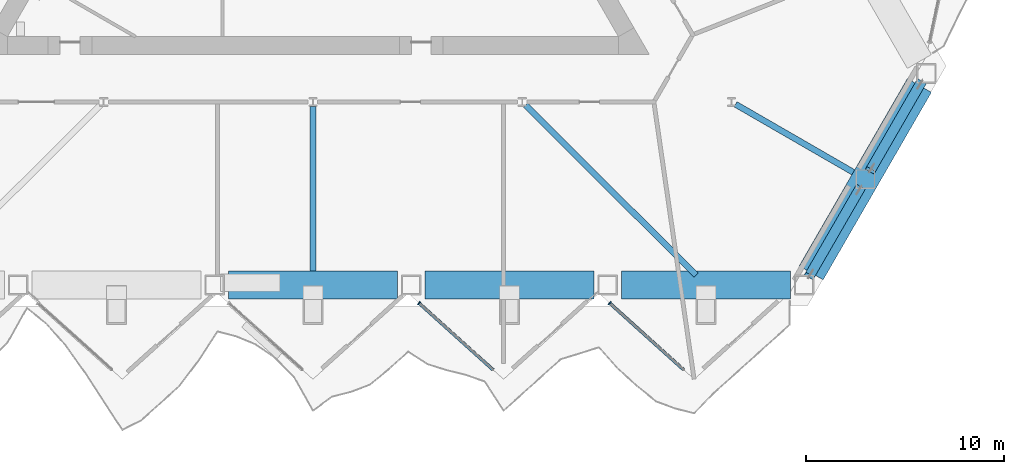
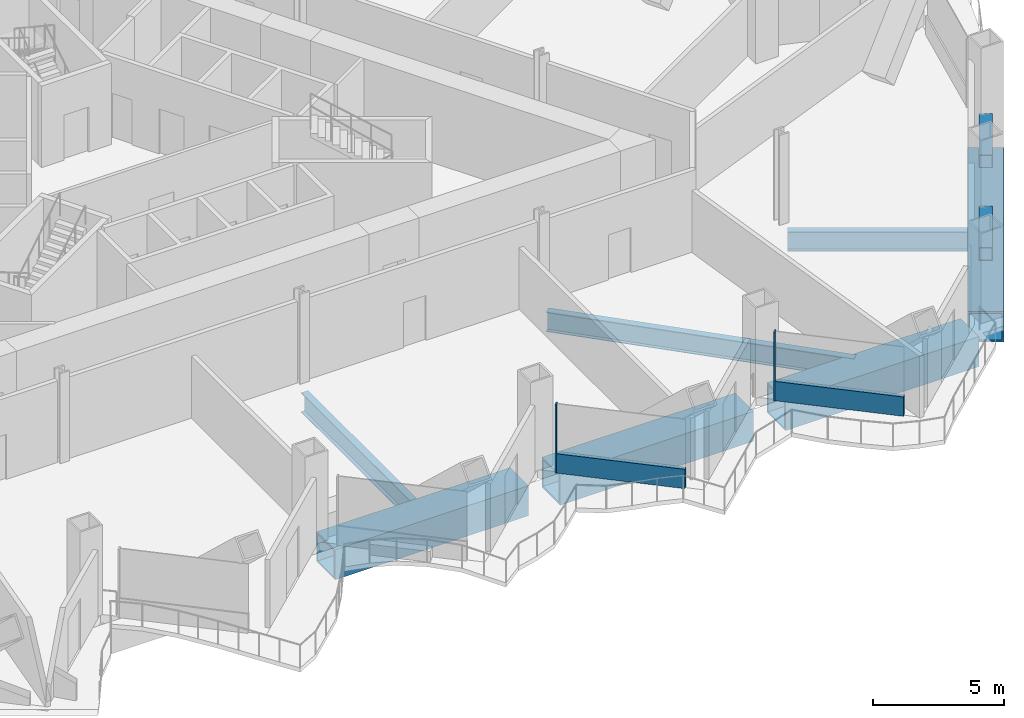
# One storey, part 4 of 22: 7 beams, 6 members, 2 elements without a shape of their own.
"""IFC4 building model written with IfcOpenShell, lengths in metres."""

from ifc_helpers import new_model, si_unit, direction, frame, origin, origin_2d, place, context, subcontext, project, spatial, rectangle, hollow_rectangle, i_section, extrude, material, layer, layer_set, material_profile, profile_set, type_object, element, aggregate, save


model = new_model("IFC4")

# Units and contexts
model_context = context("Model", 3, precision=1e-05, world=origin(), true_north=direction((0.0, 1.0)))
body_context = subcontext(model_context, "Body", "Model", "MODEL_VIEW")
ifc_project = project(units=[si_unit("LENGTHUNIT", "METRE"), si_unit("AREAUNIT", "SQUARE_METRE"), si_unit("VOLUMEUNIT", "CUBIC_METRE"), si_unit("PLANEANGLEUNIT", "RADIAN"), si_unit("MASSUNIT", "GRAM", prefix="KILO")], contexts=[model_context])

# Site, building, storey
site_placement = place(None, origin())
site = spatial("IfcSite", under=ifc_project, at=site_placement, CompositionType="ELEMENT")
building_placement = place(site_placement, origin())
building = spatial("IfcBuilding", under=site, at=building_placement, Name="Cormorant Prow Tower", CompositionType="ELEMENT")
storey_placement = place(building_placement, frame((0.0, 0.0, 30.0)))
storey = spatial("IfcBuildingStorey", under=building, at=storey_placement, Name="L05", CompositionType="ELEMENT", Elevation=30.0)

# Members
ifc_material_1 = material(Name="Structural steel ASTM A500 Gr C", Category="steel")
ifc_material_profile_1 = material_profile(ifc_material_1, hollow_rectangle(XDim=0.508056640625, YDim=0.508056640625, WallThickness=0.014892578125, at=origin_2d()), Name="HSS20x20x5/8")
ifc_profile_set_1 = profile_set([ifc_material_profile_1], Name="Structural steel ASTM A500 Gr C")
member_type_1 = type_object("IfcMemberType", Name="Chamfer brace HSS20x20x5/8", PredefinedType="BRACE", material=ifc_profile_set_1)
for number, where, z_axis, x_axis, name in (
    (1, (27.65576171875, -16.566162109375, 0.767333984375), (-0.475899695849, -0.824255918841, 0.306792535351), (0.866018434186, -0.500012071504, 0.0), "Chamfer brace BR1 at ESE00 L05"),
    (2, (30.74072265625, -11.222900390625, 0.767333984375), (-0.475881936113, -0.824270433724, 0.306781086395), (0.866030326616, -0.499991473309, 0.0), "Chamfer brace BR1 at ESE01 L05"),
):
    element("IfcMember", number, at=place(storey_placement, frame(where, z_axis=z_axis, x_axis=x_axis)), inside=storey, type_object=member_type_1, Name=name, PredefinedType="BRACE", context=body_context, shape_type="SweptSolid", body=[
        extrude(hollow_rectangle(XDim=0.508056640625, YDim=0.508056640625, WallThickness=0.014892578125, at=origin_2d()), origin(), (0.0, 0.0, 1.0), 5.392333984375),
    ])

# Curtain wall, member
ifc_material_2 = material(Name="Aluminium 6063-T6", Category="aluminium")
ifc_layer = layer(ifc_material_2, 0.199951171875)
ifc_layer_set = layer_set([ifc_layer], Name="Aluminium 6063-T6")
curtain_wall_type = type_object("IfcCurtainWallType", Name="Office unitised curtain wall 200", PredefinedType="NOTDEFINED", material=ifc_layer_set)
curtain_wall_1_placement = place(storey_placement, origin())
curtain_wall_1 = element("IfcCurtainWall", 3, at=curtain_wall_1_placement, inside=storey, type_object=curtain_wall_type, Name="Office curtain wall S06", PredefinedType="NOTDEFINED")
ifc_material_3 = material(Name="Aluminium 6063-T6", Category="aluminium")
ifc_material_profile_2 = material_profile(ifc_material_3, rectangle(XDim=0.199951171875, YDim=0.06005859375, at=origin_2d()), Name="Office mullion 60x200")
ifc_profile_set_2 = profile_set([ifc_material_profile_2], Name="Aluminium 6063-T6")
member_type_2 = type_object("IfcMemberType", Name="Office mullion 60x200", PredefinedType="MULLION", material=ifc_profile_set_2)
member_1_placement = place(storey_placement, frame((5.3623046875, -22.379150390625, 0.0), z_axis=(0.0, 0.0, 1.0), x_axis=(0.669130597396, 0.743144833547, 0.0)))
member_1 = element("IfcMember", 4, at=member_1_placement, type_object=member_type_2, Name="Office mullion S06", PredefinedType="MULLION", context=body_context, shape_type="SweptSolid", body=[
    extrude(rectangle(XDim=0.199951171875, YDim=0.06005859375, at=origin_2d()), origin(), (0.0, 0.0, 1.0), 3.18896484375),
])

curtain_wall_2_placement = place(storey_placement, origin())
curtain_wall_2 = element("IfcCurtainWall", 5, at=curtain_wall_2_placement, inside=storey, type_object=curtain_wall_type, Name="Office curtain wall S08", PredefinedType="NOTDEFINED")
member_2_placement = place(storey_placement, frame((14.997314453125, -22.379150390625, 0.0), z_axis=(0.0, 0.0, 1.0), x_axis=(0.669130597396, 0.743144833547, 0.0)))
member_2 = element("IfcMember", 6, at=member_2_placement, type_object=member_type_2, Name="Office mullion S08", PredefinedType="MULLION", context=body_context, shape_type="SweptSolid", body=[
    extrude(rectangle(XDim=0.199951171875, YDim=0.06005859375, at=origin_2d()), origin(), (0.0, 0.0, 1.0), 3.18896484375),
])

# Member
ifc_material_4 = material(Name="Terracotta", Category="masonry")
ifc_material_profile_3 = material_profile(ifc_material_4, rectangle(XDim=0.159912109375, YDim=0.89990234375, at=origin_2d()), Name="Office terracotta spandrel rail 160x900")
ifc_profile_set_3 = profile_set([ifc_material_profile_3], Name="Terracotta")
member_type_3 = type_object("IfcMemberType", Name="Office terracotta spandrel rail 160x900", PredefinedType="USERDEFINED", material=ifc_profile_set_3)
member_3_placement = place(storey_placement, frame((5.384521484375, -22.399169921875, 0.449951171875), z_axis=(0.743146523264, -0.66912872077, 0.0), x_axis=(0.66912872077, 0.743146523264, 0.0)))
member_3 = element("IfcMember", 7, at=member_3_placement, type_object=member_type_3, Name="Office spandrel rail S06", ObjectType="TRANSOM", PredefinedType="USERDEFINED", context=body_context, shape_type="SweptSolid", body=[
    extrude(rectangle(XDim=0.159912109375, YDim=0.89990234375, at=origin_2d()), origin(), (0.0, 0.0, 1.0), 5.016845703125),
])

aggregate(curtain_wall_1, [member_1, member_3])

member_4_placement = place(storey_placement, frame((15.019775390625, -22.399169921875, 0.449951171875), z_axis=(0.743124733633, -0.669152919938, 0.0), x_axis=(0.669152919938, 0.743124733633, 0.0)))
member_4 = element("IfcMember", 8, at=member_4_placement, type_object=member_type_3, Name="Office spandrel rail S08", ObjectType="TRANSOM", PredefinedType="USERDEFINED", context=body_context, shape_type="SweptSolid", body=[
    extrude(rectangle(XDim=0.159912109375, YDim=0.89990234375, at=origin_2d()), origin(), (0.0, 0.0, 1.0), 5.0166015625),
])

aggregate(curtain_wall_2, [member_2, member_4])

# Beams
ifc_material_5 = material(Name="Structural steel ASTM A992 Gr 50", Category="steel")
ifc_material_profile_4 = material_profile(ifc_material_5, i_section(OverallWidth=0.3046875, OverallDepth=0.914794921875, WebThickness=0.0166015625, FlangeThickness=0.02587890625, at=origin_2d()), Name="W36x160")
ifc_profile_set_4 = profile_set([ifc_material_profile_4], Name="Structural steel ASTM A992 Gr 50")
beam_type_1 = type_object("IfcBeamType", Name="Radial floor beam W36x160", PredefinedType="BEAM", material=ifc_profile_set_4)
beam_1_placement = place(storey_placement, frame((0.0, -12.447265625, -0.857421875), z_axis=(0.0, -1.0, 0.0), x_axis=(1.0, 0.0, 0.0)))
element("IfcBeam", 9, at=beam_1_placement, inside=storey, type_object=beam_type_1, Name="Radial floor beam FB1 7 L05", PredefinedType="BEAM", context=body_context, shape_type="SweptSolid", body=[
    extrude(i_section(OverallWidth=0.3046875, OverallDepth=0.914794921875, WebThickness=0.0166015625, FlangeThickness=0.02587890625, at=origin_2d()), origin(), (0.0, 0.0, 1.0), 8.312744140625),
])
beam_2_placement = place(storey_placement, frame((10.7431640625, -12.37890625, -0.857421875), z_axis=(0.708659678371, -0.705550466127, 0.0), x_axis=(0.705550466127, 0.708659678371, 0.0)))
element("IfcBeam", 10, at=beam_2_placement, inside=storey, type_object=beam_type_1, Name="Radial floor beam FB1 8 L05", PredefinedType="BEAM", context=body_context, shape_type="SweptSolid", body=[
    extrude(i_section(OverallWidth=0.3046875, OverallDepth=0.914794921875, WebThickness=0.0166015625, FlangeThickness=0.02587890625, at=origin_2d()), origin(), (0.0, 0.0, 1.0), 12.1708984375),
])
beam_3_placement = place(storey_placement, frame((21.358154296875, -12.3310546875, -0.857421875), z_axis=(0.866015179631, -0.500017708335, 0.0), x_axis=(0.500017708335, 0.866015179631, 0.0)))
element("IfcBeam", 11, at=beam_3_placement, inside=storey, type_object=beam_type_1, Name="Radial floor beam FB1 9 L05", PredefinedType="BEAM", context=body_context, shape_type="SweptSolid", body=[
    extrude(i_section(OverallWidth=0.3046875, OverallDepth=0.914794921875, WebThickness=0.0166015625, FlangeThickness=0.02587890625, at=origin_2d()), origin(), (0.0, 0.0, 1.0), 6.871337890625),
])
ifc_material_6 = material(Name="Structural steel ASTM A572 Gr 50", Category="steel")
ifc_material_profile_5 = material_profile(ifc_material_6, hollow_rectangle(XDim=1.39990234375, YDim=1.39990234375, WallThickness=0.080078125, at=origin_2d()), Name="Box 1400x1400x80")
ifc_profile_set_5 = profile_set([ifc_material_profile_5], Name="Structural steel ASTM A572 Gr 50")
beam_type_2 = type_object("IfcBeamType", Name="Transfer girder 1400x1400x80", PredefinedType="BEAM", material=ifc_profile_set_5)
for number, where, z_axis, x_axis, name in (
    (12, (-4.26611328125, -21.4599609375, -1.10009765625), (1.0, 0.0, 0.0), (0.0, 1.0, 0.0), "Transfer girder TG1 S04-S06 L05"),
    (13, (5.666015625, -21.4599609375, -1.10009765625), (1.0, 0.0, 0.0), (0.0, 1.0, 0.0), "Transfer girder TG1 S06-S08 L05"),
    (14, (15.59814453125, -21.4599609375, -1.10009765625), (1.0, 0.0, 0.0), (0.0, 1.0, 0.0), "Transfer girder TG1 S08-ESE00 L05"),
):
    element("IfcBeam", number, at=place(storey_placement, frame(where, z_axis=z_axis, x_axis=x_axis)), inside=storey, type_object=beam_type_2, Name=name, PredefinedType="BEAM", context=body_context, shape_type="SweptSolid", body=[
        extrude(hollow_rectangle(XDim=1.39990234375, YDim=1.39990234375, WallThickness=0.080078125, at=origin_2d()), origin(), (0.0, 0.0, 1.0), 8.5322265625),
    ])
beam_4_placement = place(storey_placement, frame((25.180419921875, -20.853759765625, -1.10009765625), z_axis=(0.499981969543, 0.866035813423, 0.0), x_axis=(-0.866035813423, 0.499981969543, 0.0)))
element("IfcBeam", 15, at=beam_4_placement, inside=storey, type_object=beam_type_2, Name="Transfer girder TG1 ESE00-ENE00 L05", PredefinedType="BEAM", context=body_context, shape_type="SweptSolid", body=[
    extrude(hollow_rectangle(XDim=1.39990234375, YDim=1.39990234375, WallThickness=0.080078125, at=origin_2d()), origin(), (0.0, 0.0, 1.0), 10.939453125),
])

save(model, "model.ifc")
